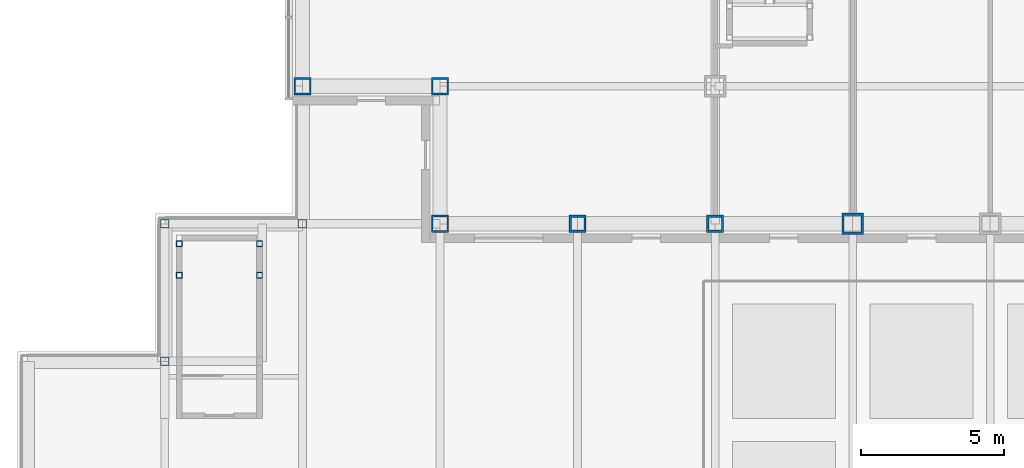
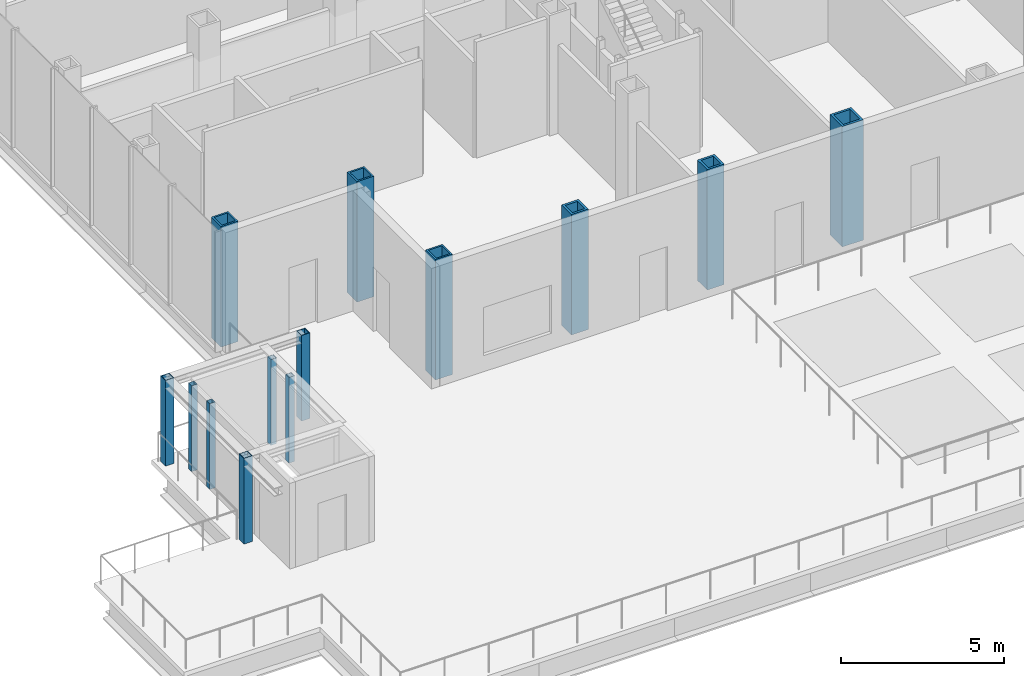
# One storey, part 1 of 24: 13 columns.
"""IFC4 building model written with IfcOpenShell, lengths in metres."""

from ifc_helpers import new_model, si_unit, direction, frame, origin, origin_2d, place, context, subcontext, project, spatial, hollow_rectangle, extrude, material, material_profile, profile_set, type_object, element, save


model = new_model("IFC4")

# Units and contexts
model_context = context("Model", 3, precision=1e-05, world=origin(), true_north=direction((0.0, 1.0)))
body_context = subcontext(model_context, "Body", "Model", "MODEL_VIEW")
ifc_project = project(units=[si_unit("LENGTHUNIT", "METRE"), si_unit("AREAUNIT", "SQUARE_METRE"), si_unit("VOLUMEUNIT", "CUBIC_METRE"), si_unit("PLANEANGLEUNIT", "RADIAN"), si_unit("MASSUNIT", "GRAM", prefix="KILO")], contexts=[model_context])

# Site, building, storey
site_placement = place(None, origin())
site = spatial("IfcSite", under=ifc_project, at=site_placement, CompositionType="ELEMENT")
building_placement = place(site_placement, origin())
building = spatial("IfcBuilding", under=site, at=building_placement, Name="Kvirike Care Tower", CompositionType="ELEMENT")
storey_placement = place(building_placement, frame((0.0, 0.0, 22.5)))
storey = spatial("IfcBuildingStorey", under=building, at=storey_placement, Name="L05", CompositionType="ELEMENT", Elevation=22.5)

# Columns
ifc_material_1 = material(Name="Steel S460", Category="steel")
ifc_material_profile_1 = material_profile(ifc_material_1, hollow_rectangle(XDim=0.60009765625, YDim=0.60009765625, WallThickness=0.06005859375, at=origin_2d()), Name="BX 600x600x60")
ifc_profile_set_1 = profile_set([ifc_material_profile_1], Name="Steel S460")
column_type_1 = type_object("IfcColumnType", Name="COLUMN BX 600x600x60", PredefinedType="COLUMN", material=ifc_profile_set_1)
for number, where, z_axis, x_axis, name in (
    (1, (0.0, 19.199951171875, 0.0), (0.0, 0.0, 1.0), (0.0, 1.0, 0.0), "Column E3 L05"),
    (2, (4.800048828125, 14.39990234375, 0.0), (0.0, 0.0, 1.0), (0.0, 1.0, 0.0), "Column D4 L05"),
    (3, (4.800048828125, 19.199951171875, 0.0), (0.0, 0.0, 1.0), (0.0, 1.0, 0.0), "Column E4 L05"),
):
    element("IfcColumn", number, at=place(storey_placement, frame(where, z_axis=z_axis, x_axis=x_axis)), inside=storey, type_object=column_type_1, Name=name, PredefinedType="COLUMN", context=body_context, shape_type="SweptSolid", body=[
        extrude(hollow_rectangle(XDim=0.60009765625, YDim=0.60009765625, WallThickness=0.06005859375, at=origin_2d()), origin(), (0.0, 0.0, 1.0), 4.5),
    ])
ifc_material_2 = material(Name="Steel S460", Category="steel")
ifc_material_profile_2 = material_profile(ifc_material_2, hollow_rectangle(XDim=0.60009765625, YDim=0.60009765625, WallThickness=0.080078125, at=origin_2d()), Name="BX 600x600x80")
ifc_profile_set_2 = profile_set([ifc_material_profile_2], Name="Steel S460")
column_type_2 = type_object("IfcColumnType", Name="COLUMN BX 600x600x80", PredefinedType="COLUMN", material=ifc_profile_set_2)
for number, where, z_axis, x_axis, name in (
    (4, (9.60009765625, 14.39990234375, 0.0), (0.0, 0.0, 1.0), (0.0, 1.0, 0.0), "Column D5 L05"),
    (5, (14.39990234375, 14.39990234375, 0.0), (0.0, 0.0, 1.0), (0.0, 1.0, 0.0), "Column D6 L05"),
):
    element("IfcColumn", number, at=place(storey_placement, frame(where, z_axis=z_axis, x_axis=x_axis)), inside=storey, type_object=column_type_2, Name=name, PredefinedType="COLUMN", context=body_context, shape_type="SweptSolid", body=[
        extrude(hollow_rectangle(XDim=0.60009765625, YDim=0.60009765625, WallThickness=0.080078125, at=origin_2d()), origin(), (0.0, 0.0, 1.0), 4.5),
    ])
ifc_material_3 = material(Name="Steel S460", Category="steel")
ifc_material_profile_3 = material_profile(ifc_material_3, hollow_rectangle(XDim=0.75, YDim=0.75, WallThickness=0.080078125, at=origin_2d()), Name="BX 750x750x80")
ifc_profile_set_3 = profile_set([ifc_material_profile_3], Name="Steel S460")
column_type_3 = type_object("IfcColumnType", Name="COLUMN BX 750x750x80", PredefinedType="COLUMN", material=ifc_profile_set_3)
column_placement = place(storey_placement, frame((19.199951171875, 14.39990234375, 0.0), z_axis=(0.0, 0.0, 1.0), x_axis=(0.0, 1.0, 0.0)))
element("IfcColumn", 6, at=column_placement, inside=storey, type_object=column_type_3, Name="Column D7 L05", PredefinedType="COLUMN", context=body_context, shape_type="SweptSolid", body=[
    extrude(hollow_rectangle(XDim=0.75, YDim=0.75, WallThickness=0.080078125, at=origin_2d()), origin(), (0.0, 0.0, 1.0), 4.5),
])
ifc_material_4 = material(Name="Steel S355", Category="steel")
ifc_material_profile_4 = material_profile(ifc_material_4, hollow_rectangle(XDim=0.300048828125, YDim=0.300048828125, WallThickness=0.02001953125, at=origin_2d()), Name="BX 300x300x20")
ifc_profile_set_4 = profile_set([ifc_material_profile_4], Name="Steel S355")
column_type_4 = type_object("IfcColumnType", Name="HEAD-HOUSE POST BX 300x300x20", PredefinedType="COLUMN", material=ifc_profile_set_4)
for number, where, z_axis, x_axis, name in (
    (7, (-4.800048828125, 9.60009765625, 0.0), (0.0, 0.0, 1.0), (1.0, 0.0, 0.0), "Stair 3 head-house post 1"),
    (8, (-4.800048828125, 14.39990234375, 0.0), (0.0, 0.0, 1.0), (1.0, 0.0, 0.0), "Stair 3 head-house post 2"),
    (9, (0.0, 14.39990234375, 0.0), (0.0, 0.0, 1.0), (1.0, 0.0, 0.0), "Stair 3 head-house post 3"),
):
    element("IfcColumn", number, at=place(storey_placement, frame(where, z_axis=z_axis, x_axis=x_axis)), inside=storey, type_object=column_type_4, Name=name, PredefinedType="COLUMN", context=body_context, shape_type="SweptSolid", body=[
        extrude(hollow_rectangle(XDim=0.300048828125, YDim=0.300048828125, WallThickness=0.02001953125, at=origin_2d()), origin(), (0.0, 0.0, 1.0), 3.199951171875),
    ])
ifc_material_5 = material(Name="Steel S460", Category="steel")
ifc_material_profile_5 = material_profile(ifc_material_5, hollow_rectangle(XDim=0.199951171875, YDim=0.199951171875, WallThickness=0.008056640625, at=origin_2d()), Name="SHS 200x200x8")
ifc_profile_set_5 = profile_set([ifc_material_profile_5], Name="Steel S460")
column_type_5 = type_object("IfcColumnType", Name="STAIR POST SHS 200x200x8", PredefinedType="COLUMN", material=ifc_profile_set_5)
for number, where, z_axis, x_axis, name in (
    (10, (-4.300048828125, 13.699951171875, 0.0), (0.0, 0.0, 1.0), (1.0, 0.0, 0.0), "Stair 3 post 1 L05"),
    (11, (-1.5, 13.699951171875, 0.0), (0.0, 0.0, 1.0), (1.0, 0.0, 0.0), "Stair 3 post 2 L05"),
    (12, (-4.300048828125, 12.60009765625, 0.0), (0.0, 0.0, 1.0), (1.0, 0.0, 0.0), "Stair 3 post 3 L05"),
    (13, (-1.5, 12.60009765625, 0.0), (0.0, 0.0, 1.0), (1.0, 0.0, 0.0), "Stair 3 post 4 L05"),
):
    element("IfcColumn", number, at=place(storey_placement, frame(where, z_axis=z_axis, x_axis=x_axis)), inside=storey, type_object=column_type_5, Name=name, PredefinedType="COLUMN", context=body_context, shape_type="SweptSolid", body=[
        extrude(hollow_rectangle(XDim=0.199951171875, YDim=0.199951171875, WallThickness=0.008056640625, at=origin_2d()), origin(), (0.0, 0.0, 1.0), 3.199951171875),
    ])

save(model, "model.ifc")
